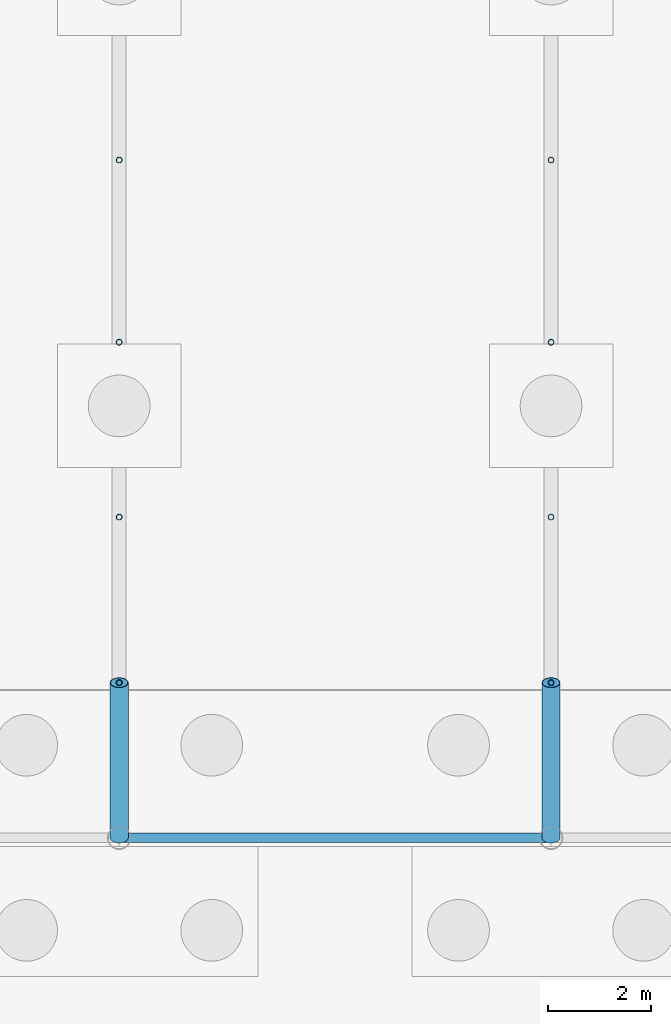
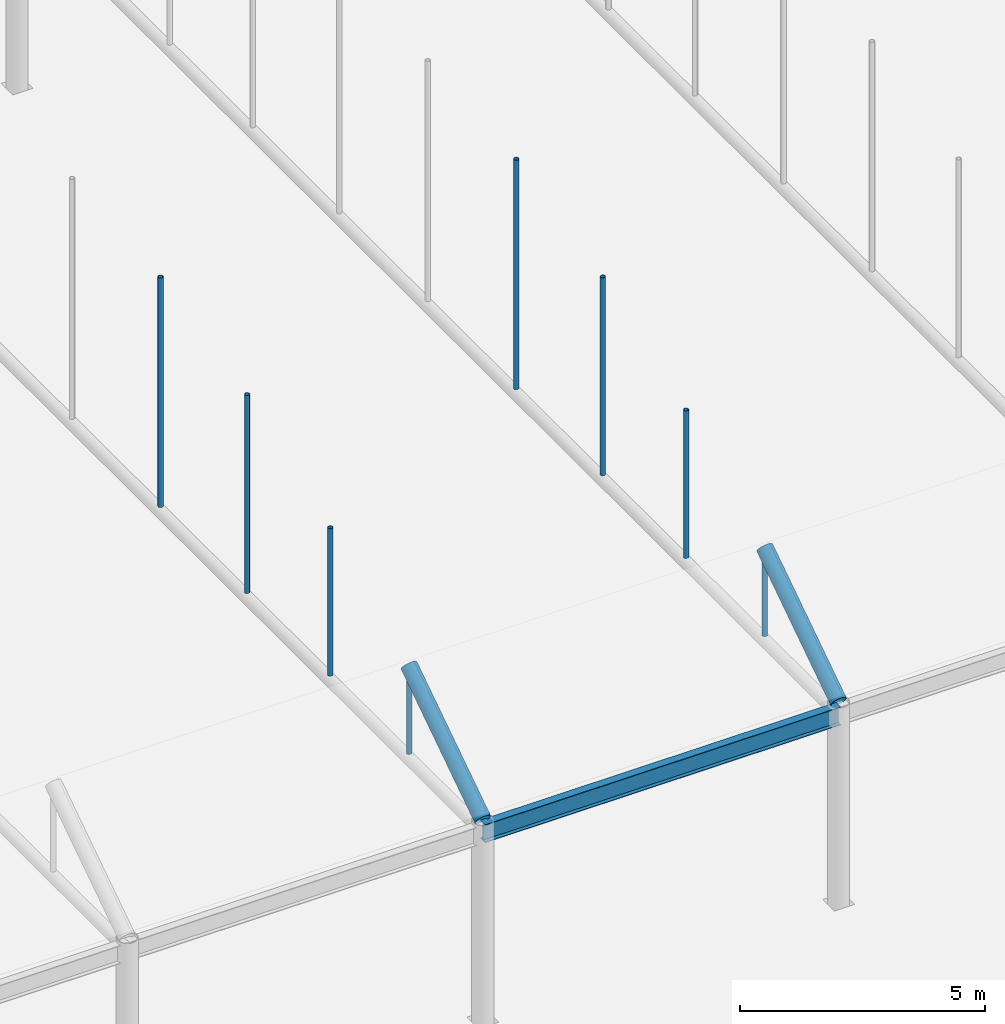
# One storey, part 42 of 212: 10 members, 1 beam.
"""IFC4 building model written with IfcOpenShell, lengths in metres."""

from ifc_helpers import new_model, si_unit, direction, frame, origin, origin_2d, place, context, subcontext, project, spatial, hollow_circle, i_section, extrude, material, material_profile, profile_set, type_object, element, save


model = new_model("IFC4")

# Units and contexts
model_context = context("Model", 3, precision=1e-05, world=origin(), true_north=direction((0.0, 1.0)))
body_context = subcontext(model_context, "Body", "Model", "MODEL_VIEW")
ifc_project = project(units=[si_unit("LENGTHUNIT", "METRE"), si_unit("AREAUNIT", "SQUARE_METRE"), si_unit("VOLUMEUNIT", "CUBIC_METRE"), si_unit("PLANEANGLEUNIT", "RADIAN"), si_unit("MASSUNIT", "GRAM", prefix="KILO")], contexts=[model_context])

# Site, building, storey
site_placement = place(None, origin())
site = spatial("IfcSite", under=ifc_project, at=site_placement, CompositionType="ELEMENT")
building_placement = place(site_placement, origin())
building = spatial("IfcBuilding", under=site, at=building_placement, Name="Catenary Quay Ferry Terminal", CompositionType="ELEMENT")
storey_placement = place(building_placement, origin())
storey = spatial("IfcBuildingStorey", under=building, at=storey_placement, Name="L00", CompositionType="ELEMENT", Elevation=0.0)

# Beam
ifc_material_1 = material(Name="Steel S355", Category="steel")
ifc_material_profile_1 = material_profile(ifc_material_1, i_section(OverallWidth=0.18994140625, OverallDepth=0.453369140625, WebThickness=0.008544921875, FlangeThickness=0.0126953125, at=origin_2d()), Name="UB 457x191x67")
ifc_profile_set_1 = profile_set([ifc_material_profile_1], Name="Steel S355")
beam_type = type_object("IfcBeamType", Name="B1 UB 457x191x67", PredefinedType="BEAM", material=ifc_profile_set_1)
beam_placement = place(storey_placement, frame((50.39990234375, 16.800048828125, 4.699951171875), z_axis=(1.0, 0.0, 0.0), x_axis=(0.0, 1.0, 0.0)))
element("IfcBeam", 1, at=beam_placement, inside=storey, type_object=beam_type, Name="Eaves beam B-CA3-5", PredefinedType="BEAM", context=body_context, shape_type="SweptSolid", body=[
    extrude(i_section(OverallWidth=0.18994140625, OverallDepth=0.453369140625, WebThickness=0.008544921875, FlangeThickness=0.0126953125, at=origin_2d()), origin(), (0.0, 0.0, 1.0), 8.400146484375),
])

# Members
ifc_material_2 = material(Name="Steel S355", Category="steel")
ifc_material_profile_2 = material_profile(ifc_material_2, hollow_circle(Radius=0.05712890625, WallThickness=0.00634765625, at=origin_2d()), Name="CHS 114.3x6.3")
ifc_profile_set_2 = profile_set([ifc_material_profile_2], Name="Steel S355")
member_type_1 = type_object("IfcMemberType", Name="HG1 CHS 114.3x6.3", PredefinedType="POST", material=ifc_profile_set_2)
member_1_placement = place(storey_placement, frame((50.39990234375, 19.818115234375, 4.830078125), z_axis=(0.0, 0.0, 1.0), x_axis=(1.0, 0.0, 0.0)))
element("IfcMember", 2, at=member_1_placement, inside=storey, type_object=member_type_1, Name="Hanger CA-05-01", PredefinedType="POST", context=body_context, shape_type="SweptSolid", body=[
    extrude(hollow_circle(Radius=0.05712890625, WallThickness=0.00634765625, at=origin_2d()), origin(), (0.0, 0.0, 1.0), 2.010986328125),
])
member_2_placement = place(storey_placement, frame((50.39990234375, 23.0380859375, 4.830078125), z_axis=(0.0, 0.0, 1.0), x_axis=(1.0, 0.0, 0.0)))
element("IfcMember", 3, at=member_2_placement, inside=storey, type_object=member_type_1, Name="Hanger CA-05-02", PredefinedType="POST", context=body_context, shape_type="SweptSolid", body=[
    extrude(hollow_circle(Radius=0.05712890625, WallThickness=0.00634765625, at=origin_2d()), origin(), (0.0, 0.0, 1.0), 3.681884765625),
])
member_3_placement = place(storey_placement, frame((50.39990234375, 26.43994140625, 4.830078125), z_axis=(0.0, 0.0, 1.0), x_axis=(1.0, 0.0, 0.0)))
element("IfcMember", 4, at=member_3_placement, inside=storey, type_object=member_type_1, Name="Hanger CA-05-03", PredefinedType="POST", context=body_context, shape_type="SweptSolid", body=[
    extrude(hollow_circle(Radius=0.05712890625, WallThickness=0.00634765625, at=origin_2d()), origin(), (0.0, 0.0, 1.0), 4.94287109375),
])
member_4_placement = place(storey_placement, frame((50.39990234375, 29.98193359375, 4.830078125), z_axis=(0.0, 0.0, 1.0), x_axis=(1.0, 0.0, 0.0)))
element("IfcMember", 5, at=member_4_placement, inside=storey, type_object=member_type_1, Name="Hanger CA-05-04", PredefinedType="POST", context=body_context, shape_type="SweptSolid", body=[
    extrude(hollow_circle(Radius=0.05712890625, WallThickness=0.00634765625, at=origin_2d()), origin(), (0.0, 0.0, 1.0), 5.72998046875),
])
member_5_placement = place(storey_placement, frame((58.800048828125, 19.818115234375, 4.830078125), z_axis=(0.0, 0.0, 1.0), x_axis=(1.0, 0.0, 0.0)))
element("IfcMember", 6, at=member_5_placement, inside=storey, type_object=member_type_1, Name="Hanger CA-06-01", PredefinedType="POST", context=body_context, shape_type="SweptSolid", body=[
    extrude(hollow_circle(Radius=0.05712890625, WallThickness=0.00634765625, at=origin_2d()), origin(), (0.0, 0.0, 1.0), 2.010986328125),
])
member_6_placement = place(storey_placement, frame((58.800048828125, 23.0380859375, 4.830078125), z_axis=(0.0, 0.0, 1.0), x_axis=(1.0, 0.0, 0.0)))
element("IfcMember", 7, at=member_6_placement, inside=storey, type_object=member_type_1, Name="Hanger CA-06-02", PredefinedType="POST", context=body_context, shape_type="SweptSolid", body=[
    extrude(hollow_circle(Radius=0.05712890625, WallThickness=0.00634765625, at=origin_2d()), origin(), (0.0, 0.0, 1.0), 3.681884765625),
])
member_7_placement = place(storey_placement, frame((58.800048828125, 26.43994140625, 4.830078125), z_axis=(0.0, 0.0, 1.0), x_axis=(1.0, 0.0, 0.0)))
element("IfcMember", 8, at=member_7_placement, inside=storey, type_object=member_type_1, Name="Hanger CA-06-03", PredefinedType="POST", context=body_context, shape_type="SweptSolid", body=[
    extrude(hollow_circle(Radius=0.05712890625, WallThickness=0.00634765625, at=origin_2d()), origin(), (0.0, 0.0, 1.0), 4.94287109375),
])
member_8_placement = place(storey_placement, frame((58.800048828125, 29.98193359375, 4.830078125), z_axis=(0.0, 0.0, 1.0), x_axis=(1.0, 0.0, 0.0)))
element("IfcMember", 9, at=member_8_placement, inside=storey, type_object=member_type_1, Name="Hanger CA-06-04", PredefinedType="POST", context=body_context, shape_type="SweptSolid", body=[
    extrude(hollow_circle(Radius=0.05712890625, WallThickness=0.00634765625, at=origin_2d()), origin(), (0.0, 0.0, 1.0), 5.72998046875),
])
ifc_material_3 = material(Name="Steel S355", Category="steel")
ifc_material_profile_3 = material_profile(ifc_material_3, hollow_circle(Radius=0.177734375, WallThickness=0.012451171875, at=origin_2d()), Name="CHS 355.6x12.5")
ifc_profile_set_3 = profile_set([ifc_material_profile_3], Name="Steel S355")
member_type_2 = type_object("IfcMemberType", Name="VR1 CHS 355.6x12.5", PredefinedType="RAFTER", material=ifc_profile_set_3)
for number, where, z_axis, x_axis, name in (
    (10, (50.39990234375, 16.800048828125, 5.0), (0.0, 0.831936388081, 0.554871017613), (-1.0, 0.0, 0.0), "rib CA-05-01"),
    (11, (58.800048828125, 16.800048828125, 5.0), (0.0, 0.831936388081, 0.554871017613), (-1.0, 0.0, 0.0), "rib CA-06-01"),
):
    element("IfcMember", number, at=place(storey_placement, frame(where, z_axis=z_axis, x_axis=x_axis)), inside=storey, type_object=member_type_2, Name=name, PredefinedType="RAFTER", context=body_context, shape_type="SweptSolid", body=[
        extrude(hollow_circle(Radius=0.177734375, WallThickness=0.012451171875, at=origin_2d()), origin(), (0.0, 0.0, 1.0), 3.627685546875),
    ])

save(model, "model.ifc")
